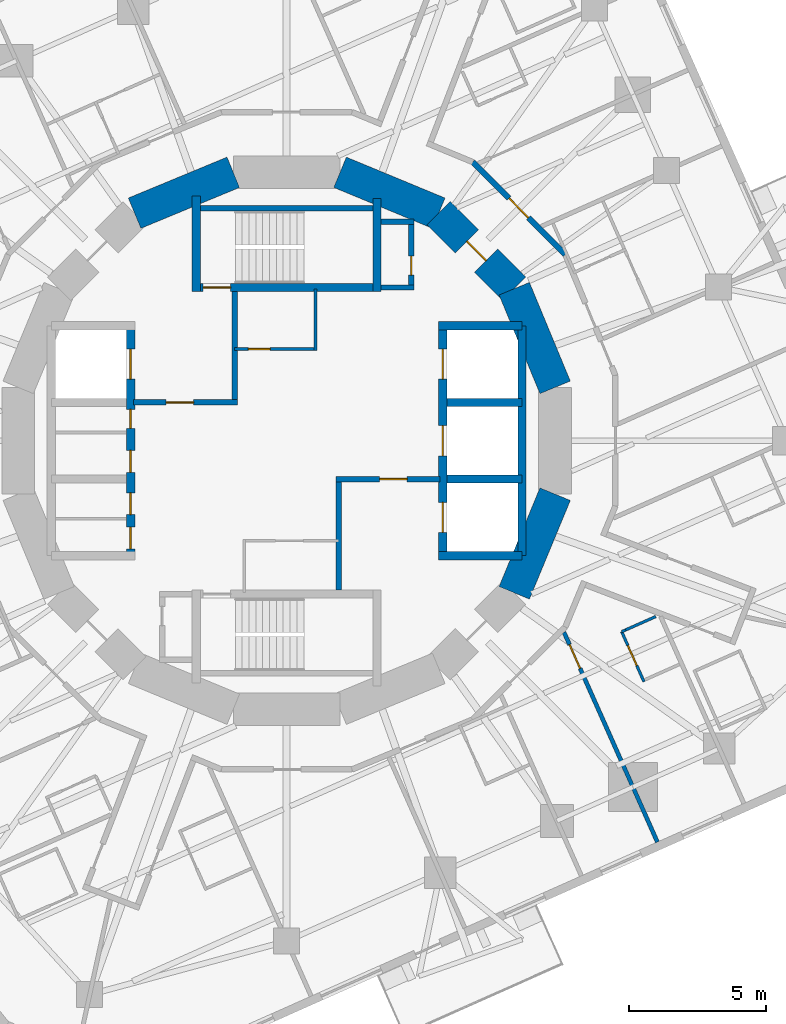
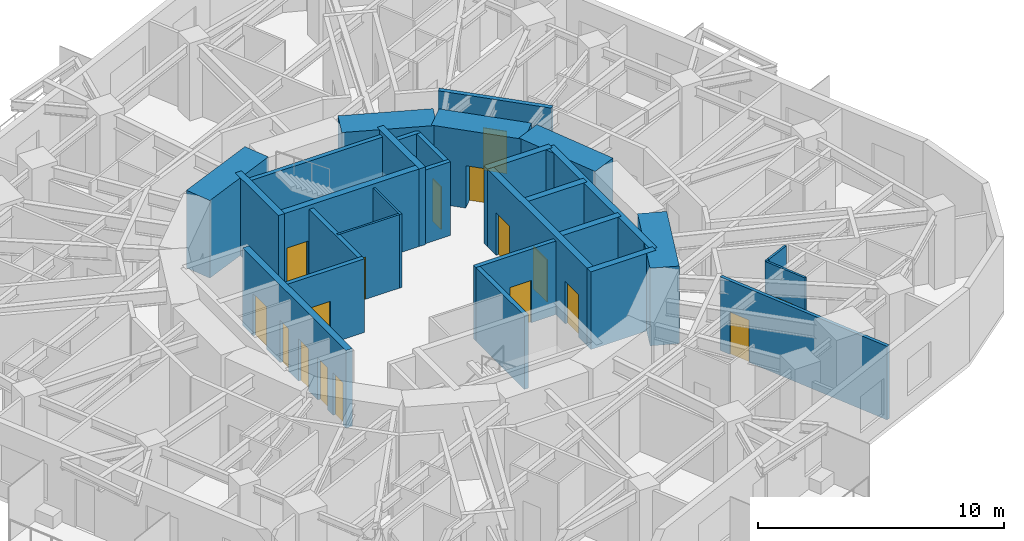
# One storey, part 7 of 12: 30 walls, 17 doors, 17 openings.
"""IFC4 building model written with IfcOpenShell, lengths in metres."""

from ifc_helpers import new_model, si_unit, direction, frame, frame_2d, origin, place, context, subcontext, project, spatial, rectangle, extrude, material, layer, layer_set, type_object, element, fill, save


model = new_model("IFC4")

# Units and contexts
model_context = context("Model", 3, precision=1e-05, world=origin(), true_north=direction((0.0, 1.0)))
body_context = subcontext(model_context, "Body", "Model", "MODEL_VIEW")
ifc_project = project(units=[si_unit("LENGTHUNIT", "METRE"), si_unit("AREAUNIT", "SQUARE_METRE"), si_unit("VOLUMEUNIT", "CUBIC_METRE"), si_unit("PLANEANGLEUNIT", "RADIAN"), si_unit("MASSUNIT", "GRAM", prefix="KILO")], contexts=[model_context])

# Site, building, storey
site_placement = place(None, origin())
site = spatial("IfcSite", under=ifc_project, at=site_placement, CompositionType="ELEMENT")
building_placement = place(site_placement, origin())
building = spatial("IfcBuilding", under=site, at=building_placement, Name="Nakasero Lantern House", CompositionType="ELEMENT")
storey_placement = place(building_placement, frame((0.0, 0.0, 201.699951171875)))
storey = spatial("IfcBuildingStorey", under=building, at=storey_placement, Name="L49", CompositionType="ELEMENT", Elevation=201.699951171875)

# Wall, openings, doors
ifc_material_1 = material(Name="Concrete C50/60", Category="concrete")
ifc_layer_1 = layer(ifc_material_1, 0.300048828125)
ifc_layer_set_1 = layer_set([ifc_layer_1], Name="Core inner wall 300")
wall_type_1 = type_object("IfcWallType", Name="Core inner wall 300", PredefinedType="SHEAR", material=ifc_layer_set_1)
wall_1_placement = place(storey_placement, frame((-5.699951171875, -4.199951171875, 0.0), z_axis=(0.0, 0.0, 1.0), x_axis=(0.0, 1.0, 0.0)))
wall_1 = element("IfcWall", 1, at=wall_1_placement, inside=storey, type_object=wall_type_1, Name="Core inner wall L49 LW", PredefinedType="SHEAR", context=body_context, shape_type="SweptSolid", body=[
    extrude(rectangle(XDim=8.39990234375, YDim=0.300048828125, at=frame_2d((4.199951171875, 0.0))), origin(), (0.0, 0.0, 1.0), 3.85009765625),
])
opening_1_placement = place(wall_1_placement, frame((0.25, 0.0, 0.0)))
opening_1 = element("IfcOpeningElement", 2, at=opening_1_placement, cuts=wall_1, Name="Opening D15", PredefinedType="OPENING", context=body_context, shape_type="SweptSolid", body=[
    extrude(rectangle(XDim=0.800048828125, YDim=2.10009765625, at=frame_2d((0.39990234375, 1.050048828125))), frame((0.0, 0.169921875, 0.0), z_axis=(0.0, -1.0, 0.0), x_axis=(1.0, 0.0, 0.0)), (0.0, 0.0, 1.0), 0.340087890625),
])
opening_2_placement = place(wall_1_placement, frame((1.5, 0.0, 0.0)))
opening_2 = element("IfcOpeningElement", 3, at=opening_2_placement, cuts=wall_1, Name="Opening D15", PredefinedType="OPENING", context=body_context, shape_type="SweptSolid", body=[
    extrude(rectangle(XDim=0.800048828125, YDim=2.10009765625, at=frame_2d((0.39990234375, 1.050048828125))), frame((0.0, 0.169921875, 0.0), z_axis=(0.0, -1.0, 0.0), x_axis=(1.0, 0.0, 0.0)), (0.0, 0.0, 1.0), 0.340087890625),
])
opening_3_placement = place(wall_1_placement, frame((3.050048828125, 0.0, 0.0)))
opening_3 = element("IfcOpeningElement", 4, at=opening_3_placement, cuts=wall_1, Name="Opening D15", PredefinedType="OPENING", context=body_context, shape_type="SweptSolid", body=[
    extrude(rectangle(XDim=0.800048828125, YDim=2.10009765625, at=frame_2d((0.39990234375, 1.050048828125))), frame((0.0, 0.169921875, 0.0), z_axis=(0.0, -1.0, 0.0), x_axis=(1.0, 0.0, 0.0)), (0.0, 0.0, 1.0), 0.340087890625),
])
opening_4_placement = place(wall_1_placement, frame((4.64990234375, 0.0, 0.0)))
opening_4 = element("IfcOpeningElement", 5, at=opening_4_placement, cuts=wall_1, Name="Opening D20", PredefinedType="OPENING", context=body_context, shape_type="SweptSolid", body=[
    extrude(rectangle(XDim=0.699951171875, YDim=2.10009765625, at=frame_2d((0.35009765625, 1.050048828125))), frame((0.0, 0.169921875, 0.0), z_axis=(0.0, -1.0, 0.0), x_axis=(1.0, 0.0, 0.0)), (0.0, 0.0, 1.0), 0.340087890625),
])
opening_5_placement = place(wall_1_placement, frame((6.449951171875, 0.0, 0.0)))
opening_5 = element("IfcOpeningElement", 6, at=opening_5_placement, cuts=wall_1, Name="Opening LD", PredefinedType="OPENING", context=body_context, shape_type="SweptSolid", body=[
    extrude(rectangle(XDim=1.10009765625, YDim=2.10009765625, at=frame_2d((0.550048828125, 1.050048828125))), frame((0.0, 0.169921875, 0.0), z_axis=(0.0, -1.0, 0.0), x_axis=(1.0, 0.0, 0.0)), (0.0, 0.0, 1.0), 0.340087890625),
])
ifc_material_2 = material(Name="Timber C24", Category="wood")
door_type_1 = type_object("IfcDoorType", Name="Cleaner's store door FD30S 700", OperationType="SINGLE_SWING_LEFT", PredefinedType="DOOR", material=ifc_material_2)
door_1_placement = place(opening_4_placement, origin())
door_1 = element("IfcDoor", 7, at=door_1_placement, inside=storey, type_object=door_type_1, Name="Door L49 D-SH-LW2b", OperationType="SINGLE_SWING_RIGHT", OverallHeight=2.10009765625, OverallWidth=0.699951171875, PredefinedType="DOOR", context=body_context, shape_type="SweptSolid", body=[
    extrude(rectangle(XDim=0.699951171875, YDim=2.10009765625, at=frame_2d((0.35009765625, 1.050048828125))), frame((0.0, 0.02490234375, 0.0), z_axis=(0.0, -1.0, 0.0), x_axis=(1.0, 0.0, 0.0)), (0.0, 0.0, 1.0), 0.050048828125),
])
fill(opening_4, door_1)
ifc_material_3 = material(Name="Timber C24", Category="wood")
door_type_2 = type_object("IfcDoorType", Name="Cleaner's store door FD30S 800", OperationType="SINGLE_SWING_LEFT", PredefinedType="DOOR", material=ifc_material_3)
door_2_placement = place(opening_1_placement, origin())
door_2 = element("IfcDoor", 8, at=door_2_placement, inside=storey, type_object=door_type_2, Name="Door L49 D-SH-LW1a", OperationType="SINGLE_SWING_LEFT", OverallHeight=2.10009765625, OverallWidth=0.800048828125, PredefinedType="DOOR", context=body_context, shape_type="SweptSolid", body=[
    extrude(rectangle(XDim=0.800048828125, YDim=2.10009765625, at=frame_2d((0.39990234375, 1.050048828125))), frame((0.0, 0.02490234375, 0.0), z_axis=(0.0, -1.0, 0.0), x_axis=(1.0, 0.0, 0.0)), (0.0, 0.0, 1.0), 0.050048828125),
])
fill(opening_1, door_2)
door_3_placement = place(opening_2_placement, origin())
door_3 = element("IfcDoor", 9, at=door_3_placement, inside=storey, type_object=door_type_2, Name="Door L49 D-SH-LW1b", OperationType="SINGLE_SWING_LEFT", OverallHeight=2.10009765625, OverallWidth=0.800048828125, PredefinedType="DOOR", context=body_context, shape_type="SweptSolid", body=[
    extrude(rectangle(XDim=0.800048828125, YDim=2.10009765625, at=frame_2d((0.39990234375, 1.050048828125))), frame((0.0, 0.02490234375, 0.0), z_axis=(0.0, -1.0, 0.0), x_axis=(1.0, 0.0, 0.0)), (0.0, 0.0, 1.0), 0.050048828125),
])
fill(opening_2, door_3)
door_4_placement = place(opening_3_placement, origin())
door_4 = element("IfcDoor", 10, at=door_4_placement, inside=storey, type_object=door_type_2, Name="Door L49 D-SH-LW2a", OperationType="SINGLE_SWING_LEFT", OverallHeight=2.10009765625, OverallWidth=0.800048828125, PredefinedType="DOOR", context=body_context, shape_type="SweptSolid", body=[
    extrude(rectangle(XDim=0.800048828125, YDim=2.10009765625, at=frame_2d((0.39990234375, 1.050048828125))), frame((0.0, 0.02490234375, 0.0), z_axis=(0.0, -1.0, 0.0), x_axis=(1.0, 0.0, 0.0)), (0.0, 0.0, 1.0), 0.050048828125),
])
fill(opening_3, door_4)
ifc_material_4 = material(Name="Steel S355", Category="steel")
door_type_3 = type_object("IfcDoorType", Name="Lift landing door E120 1100", OperationType="SLIDING_TO_LEFT", PredefinedType="DOOR", material=ifc_material_4)
door_5_placement = place(opening_5_placement, origin())
door_5 = element("IfcDoor", 11, at=door_5_placement, inside=storey, type_object=door_type_3, Name="Lift landing door LW3", OperationType="SLIDING_TO_LEFT", OverallHeight=2.10009765625, OverallWidth=1.10009765625, PredefinedType="DOOR", context=body_context, shape_type="SweptSolid", body=[
    extrude(rectangle(XDim=1.10009765625, YDim=2.10009765625, at=frame_2d((0.550048828125, 1.050048828125))), frame((0.0, 0.02490234375, 0.0), z_axis=(0.0, -1.0, 0.0), x_axis=(1.0, 0.0, 0.0)), (0.0, 0.0, 1.0), 0.050048828125),
])
fill(opening_5, door_5)

wall_2_placement = place(storey_placement, frame((5.699951171875, -4.199951171875, 0.0), z_axis=(0.0, 0.0, 1.0), x_axis=(0.0, 1.0, 0.0)))
wall_2 = element("IfcWall", 12, at=wall_2_placement, inside=storey, type_object=wall_type_1, Name="Core inner wall L49 LE", PredefinedType="SHEAR", context=body_context, shape_type="SweptSolid", body=[
    extrude(rectangle(XDim=8.39990234375, YDim=0.300048828125, at=frame_2d((4.199951171875, 0.0))), origin(), (0.0, 0.0, 1.0), 3.85009765625),
])
opening_6_placement = place(wall_2_placement, frame((0.85009765625, 0.0, 0.0)))
opening_6 = element("IfcOpeningElement", 13, at=opening_6_placement, cuts=wall_2, Name="Opening LD", PredefinedType="OPENING", context=body_context, shape_type="SweptSolid", body=[
    extrude(rectangle(XDim=1.10009765625, YDim=2.10009765625, at=frame_2d((0.550048828125, 1.050048828125))), frame((0.0, 0.169921875, 0.0), z_axis=(0.0, -1.0, 0.0), x_axis=(1.0, 0.0, 0.0)), (0.0, 0.0, 1.0), 0.340087890625),
])
opening_7_placement = place(wall_2_placement, frame((3.64990234375, 0.0, 0.0)))
opening_7 = element("IfcOpeningElement", 14, at=opening_7_placement, cuts=wall_2, Name="Opening LD", PredefinedType="OPENING", context=body_context, shape_type="SweptSolid", body=[
    extrude(rectangle(XDim=1.10009765625, YDim=2.10009765625, at=frame_2d((0.550048828125, 1.050048828125))), frame((0.0, 0.169921875, 0.0), z_axis=(0.0, -1.0, 0.0), x_axis=(1.0, 0.0, 0.0)), (0.0, 0.0, 1.0), 0.340087890625),
])
opening_8_placement = place(wall_2_placement, frame((6.449951171875, 0.0, 0.0)))
opening_8 = element("IfcOpeningElement", 15, at=opening_8_placement, cuts=wall_2, Name="Opening LD", PredefinedType="OPENING", context=body_context, shape_type="SweptSolid", body=[
    extrude(rectangle(XDim=1.10009765625, YDim=2.10009765625, at=frame_2d((0.550048828125, 1.050048828125))), frame((0.0, 0.169921875, 0.0), z_axis=(0.0, -1.0, 0.0), x_axis=(1.0, 0.0, 0.0)), (0.0, 0.0, 1.0), 0.340087890625),
])
door_6_placement = place(opening_6_placement, origin())
door_6 = element("IfcDoor", 16, at=door_6_placement, inside=storey, type_object=door_type_3, Name="Lift landing door LE1", OperationType="SLIDING_TO_LEFT", OverallHeight=2.10009765625, OverallWidth=1.10009765625, PredefinedType="DOOR", context=body_context, shape_type="SweptSolid", body=[
    extrude(rectangle(XDim=1.10009765625, YDim=2.10009765625, at=frame_2d((0.550048828125, 1.050048828125))), frame((0.0, 0.02490234375, 0.0), z_axis=(0.0, -1.0, 0.0), x_axis=(1.0, 0.0, 0.0)), (0.0, 0.0, 1.0), 0.050048828125),
])
fill(opening_6, door_6)
door_7_placement = place(opening_7_placement, origin())
door_7 = element("IfcDoor", 17, at=door_7_placement, inside=storey, type_object=door_type_3, Name="Lift landing door LE2", OperationType="SLIDING_TO_LEFT", OverallHeight=2.10009765625, OverallWidth=1.10009765625, PredefinedType="DOOR", context=body_context, shape_type="SweptSolid", body=[
    extrude(rectangle(XDim=1.10009765625, YDim=2.10009765625, at=frame_2d((0.550048828125, 1.050048828125))), frame((0.0, 0.02490234375, 0.0), z_axis=(0.0, -1.0, 0.0), x_axis=(1.0, 0.0, 0.0)), (0.0, 0.0, 1.0), 0.050048828125),
])
fill(opening_7, door_7)
door_8_placement = place(opening_8_placement, origin())
door_8 = element("IfcDoor", 18, at=door_8_placement, inside=storey, type_object=door_type_3, Name="Lift landing door LE3", OperationType="SLIDING_TO_LEFT", OverallHeight=2.10009765625, OverallWidth=1.10009765625, PredefinedType="DOOR", context=body_context, shape_type="SweptSolid", body=[
    extrude(rectangle(XDim=1.10009765625, YDim=2.10009765625, at=frame_2d((0.550048828125, 1.050048828125))), frame((0.0, 0.02490234375, 0.0), z_axis=(0.0, -1.0, 0.0), x_axis=(1.0, 0.0, 0.0)), (0.0, 0.0, 1.0), 0.050048828125),
])
fill(opening_8, door_8)

# Walls
for number, where, z_axis, x_axis, name in (
    (19, (5.550048828125, 4.199951171875, 0.0), (0.0, 0.0, 1.0), (1.0, 0.0, 0.0), "Core inner wall L49 LEN"),
    (20, (5.550048828125, -4.199951171875, 0.0), (0.0, 0.0, 1.0), (1.0, 0.0, 0.0), "Core inner wall L49 LES"),
):
    element("IfcWall", number, at=place(storey_placement, frame(where, z_axis=z_axis, x_axis=x_axis)), inside=storey, type_object=wall_type_1, Name=name, PredefinedType="SHEAR", context=body_context, shape_type="SweptSolid", body=[
        extrude(rectangle(XDim=3.050048828125, YDim=0.300048828125, at=frame_2d((1.52490234375, 0.0))), origin(), (0.0, 0.0, 1.0), 3.85009765625),
    ])
wall_3_placement = place(storey_placement, frame((8.60009765625, -4.199951171875, 0.0), z_axis=(0.0, 0.0, 1.0), x_axis=(0.0, 1.0, 0.0)))
element("IfcWall", 21, at=wall_3_placement, inside=storey, type_object=wall_type_1, Name="Core inner wall L49 LEB", PredefinedType="SHEAR", context=body_context, shape_type="SweptSolid", body=[
    extrude(rectangle(XDim=8.39990234375, YDim=0.300048828125, at=frame_2d((4.199951171875, 0.0))), origin(), (0.0, 0.0, 1.0), 3.85009765625),
])
for number, where, z_axis, x_axis, name in (
    (22, (5.85009765625, -1.39990234375, 0.0), (0.0, 0.0, 1.0), (1.0, 0.0, 0.0), "Core inner wall L49 LE1"),
    (23, (5.85009765625, 1.39990234375, 0.0), (0.0, 0.0, 1.0), (1.0, 0.0, 0.0), "Core inner wall L49 LE2"),
):
    element("IfcWall", number, at=place(storey_placement, frame(where, z_axis=z_axis, x_axis=x_axis)), inside=storey, type_object=wall_type_1, Name=name, PredefinedType="SHEAR", context=body_context, shape_type="SweptSolid", body=[
        extrude(rectangle(XDim=2.75, YDim=0.300048828125, at=frame_2d((1.375, 0.0))), origin(), (0.0, 0.0, 1.0), 3.85009765625),
    ])

# Wall, opening, door
wall_4_placement = place(storey_placement, frame((-3.449951171875, 5.60009765625, 0.0), z_axis=(0.0, 0.0, 1.0), x_axis=(1.0, 0.0, 0.0)))
wall_4 = element("IfcWall", 24, at=wall_4_placement, inside=storey, type_object=wall_type_1, Name="Core inner wall L49 SN", PredefinedType="SHEAR", context=body_context, shape_type="SweptSolid", body=[
    extrude(rectangle(XDim=6.89990234375, YDim=0.300048828125, at=frame_2d((3.449951171875, 0.0))), origin(), (0.0, 0.0, 1.0), 3.85009765625),
])
opening_9_placement = place(wall_4_placement, frame((0.39990234375, 0.0, 0.0)))
opening_9 = element("IfcOpeningElement", 25, at=opening_9_placement, cuts=wall_4, Name="Opening D05", PredefinedType="OPENING", context=body_context, shape_type="SweptSolid", body=[
    extrude(rectangle(XDim=1.0, YDim=2.10009765625, at=frame_2d((0.5, 1.050048828125))), frame((0.0, 0.169921875, 0.0), z_axis=(0.0, -1.0, 0.0), x_axis=(1.0, 0.0, 0.0)), (0.0, 0.0, 1.0), 0.340087890625),
])
ifc_material_5 = material(Name="Timber C24", Category="wood")
door_type_4 = type_object("IfcDoorType", Name="Core door FD60S 1000", OperationType="SINGLE_SWING_LEFT", PredefinedType="DOOR", material=ifc_material_5)
door_9_placement = place(opening_9_placement, origin())
door_9 = element("IfcDoor", 26, at=door_9_placement, inside=storey, type_object=door_type_4, Name="Door L49 D-ST1", OperationType="SINGLE_SWING_LEFT", OverallHeight=2.10009765625, OverallWidth=1.0, PredefinedType="DOOR", context=body_context, shape_type="SweptSolid", body=[
    extrude(rectangle(XDim=1.0, YDim=2.10009765625, at=frame_2d((0.5, 1.050048828125))), frame((0.0, 0.02490234375, 0.0), z_axis=(0.0, -1.0, 0.0), x_axis=(1.0, 0.0, 0.0)), (0.0, 0.0, 1.0), 0.050048828125),
])
fill(opening_9, door_9)

# Walls
wall_5_placement = place(storey_placement, frame((-3.300048828125, 5.449951171875, 0.0), z_axis=(0.0, 0.0, 1.0), x_axis=(0.0, 1.0, 0.0)))
element("IfcWall", 27, at=wall_5_placement, inside=storey, type_object=wall_type_1, Name="Core inner wall L49 SNW", PredefinedType="SHEAR", context=body_context, shape_type="SweptSolid", body=[
    extrude(rectangle(XDim=3.5, YDim=0.300048828125, at=frame_2d((1.75, 0.0))), origin(), (0.0, 0.0, 1.0), 3.85009765625),
])
wall_6_placement = place(storey_placement, frame((3.300048828125, 5.449951171875, 0.0), z_axis=(0.0, 0.0, 1.0), x_axis=(0.0, 1.0, 0.0)))
element("IfcWall", 28, at=wall_6_placement, inside=storey, type_object=wall_type_1, Name="Core inner wall L49 SNE", PredefinedType="SHEAR", context=body_context, shape_type="SweptSolid", body=[
    extrude(rectangle(XDim=3.400146484375, YDim=0.300048828125, at=frame_2d((1.7001953125, 0.0))), origin(), (0.0, 0.0, 1.0), 3.85009765625),
])

# Wall, opening, door
ifc_material_6 = material(Name="Blockwork", Category="masonry")
ifc_layer_2 = layer(ifc_material_6, 0.10009765625)
ifc_layer_set_2 = layer_set([ifc_layer_2], Name="Core room wall 100")
wall_type_2 = type_object("IfcWallType", Name="Core room wall 100", PredefinedType="PARTITIONING", material=ifc_layer_set_2)
wall_7_placement = place(storey_placement, frame((-1.89990234375, 3.35009765625, 0.0), z_axis=(0.0, 0.0, 1.0), x_axis=(1.0, 0.0, 0.0)))
wall_7 = element("IfcWall", 29, at=wall_7_placement, inside=storey, type_object=wall_type_2, Name="Core room wall L49 CR-NES", PredefinedType="PARTITIONING", context=body_context, shape_type="SweptSolid", body=[
    extrude(rectangle(XDim=3.0, YDim=0.10009765625, at=frame_2d((1.5, 0.0))), origin(), (0.0, 0.0, 1.0), 3.650146484375),
])
opening_10_placement = place(wall_7_placement, frame((0.5, 0.0, 0.0)))
opening_10 = element("IfcOpeningElement", 30, at=opening_10_placement, cuts=wall_7, Name="Opening D15", PredefinedType="OPENING", context=body_context, shape_type="SweptSolid", body=[
    extrude(rectangle(XDim=0.800048828125, YDim=2.10009765625, at=frame_2d((0.39990234375, 1.050048828125))), frame((0.0, 0.070068359375, 0.0), z_axis=(0.0, -1.0, 0.0), x_axis=(1.0, 0.0, 0.0)), (0.0, 0.0, 1.0), 0.14013671875),
])
door_10_placement = place(opening_10_placement, origin())
door_10 = element("IfcDoor", 31, at=door_10_placement, inside=storey, type_object=door_type_2, Name="Door L49 D-CR-NE", OperationType="SINGLE_SWING_LEFT", OverallHeight=2.10009765625, OverallWidth=0.800048828125, PredefinedType="DOOR", context=body_context, shape_type="SweptSolid", body=[
    extrude(rectangle(XDim=0.800048828125, YDim=2.10009765625, at=frame_2d((0.39990234375, 1.050048828125))), frame((0.0, 0.02490234375, 0.0), z_axis=(0.0, -1.0, 0.0), x_axis=(1.0, 0.0, 0.0)), (0.0, 0.0, 1.0), 0.050048828125),
])
fill(opening_10, door_10)

# Walls
wall_8_placement = place(storey_placement, frame((1.050048828125, 3.300048828125, 0.0), z_axis=(0.0, 0.0, 1.0), x_axis=(0.0, 1.0, 0.0)))
element("IfcWall", 32, at=wall_8_placement, inside=storey, type_object=wall_type_2, Name="Core room wall L49 CR-NEE", PredefinedType="PARTITIONING", context=body_context, shape_type="SweptSolid", body=[
    extrude(rectangle(XDim=2.25, YDim=0.10009765625, at=frame_2d((1.125, 0.0))), origin(), (0.0, 0.0, 1.0), 3.650146484375),
])
ifc_material_7 = material(Name="Concrete C50/60", Category="concrete")
ifc_layer_3 = layer(ifc_material_7, 1.199951171875)
ifc_layer_set_3 = layer_set([ifc_layer_3], Name="Core wall 1200")
wall_type_3 = type_object("IfcWallType", Name="Core wall 1200", PredefinedType="SHEAR", material=ifc_layer_set_3)
wall_9_placement = place(storey_placement, frame((9.807861328125, 1.950927734375, 0.0), z_axis=(0.0, 0.0, 1.0), x_axis=(-0.382690736062, 0.923876507187, 0.0)))
element("IfcWall", 33, at=wall_9_placement, inside=storey, type_object=wall_type_3, Name="Core wall L49 facet 1", PredefinedType="SHEAR", context=body_context, shape_type="SweptSolid", body=[
    extrude(rectangle(XDim=3.90185546875, YDim=1.199951171875, at=frame_2d((1.950927734375, 0.0))), origin(), (0.0, 0.0, 1.0), 3.85009765625),
])

# Wall, opening, door
wall_10_placement = place(storey_placement, frame((8.314697265625, 5.5556640625, 0.0), z_axis=(0.0, 0.0, 1.0), x_axis=(-0.707106781187, 0.707106781187, 0.0)))
wall_10 = element("IfcWall", 34, at=wall_10_placement, inside=storey, type_object=wall_type_3, Name="Core wall L49 facet 2", PredefinedType="SHEAR", context=body_context, shape_type="SweptSolid", body=[
    extrude(rectangle(XDim=3.90185546875, YDim=1.199951171875, at=frame_2d((1.950927734375, 0.0))), origin(), (0.0, 0.0, 1.0), 3.85009765625),
])
opening_11_placement = place(wall_10_placement, frame((1.450927734375, 0.0, 0.0)))
opening_11 = element("IfcOpeningElement", 35, at=opening_11_placement, cuts=wall_10, Name="Opening D05", PredefinedType="OPENING", context=body_context, shape_type="SweptSolid", body=[
    extrude(rectangle(XDim=1.0, YDim=2.10009765625, at=frame_2d((0.5, 1.050048828125))), frame((0.0, 0.619873046875, 0.0), z_axis=(0.0, -1.0, 0.0), x_axis=(1.0, 0.0, 0.0)), (0.0, 0.0, 1.0), 1.239990234375),
])
door_11_placement = place(opening_11_placement, origin())
door_11 = element("IfcDoor", 36, at=door_11_placement, inside=storey, type_object=door_type_4, Name="Door L49 D-CORE02", OperationType="SINGLE_SWING_LEFT", OverallHeight=2.10009765625, OverallWidth=1.0, PredefinedType="DOOR", context=body_context, shape_type="SweptSolid", body=[
    extrude(rectangle(XDim=1.0, YDim=2.10009765625, at=frame_2d((0.5, 1.050048828125))), frame((0.0, 0.02490234375, 0.0), z_axis=(0.0, -1.0, 0.0), x_axis=(1.0, 0.0, 0.0)), (0.0, 0.0, 1.0), 0.050048828125),
])
fill(opening_11, door_11)

# Walls
for number, where, z_axis, x_axis, name in (
    (37, (5.5556640625, 8.314697265625, 0.0), (0.0, 0.0, 1.0), (-0.923876507187, 0.382690736062, 0.0), "Core wall L49 facet 3"),
    (38, (-1.950927734375, 9.807861328125, 0.0), (0.0, 0.0, 1.0), (-0.923876507187, -0.382690736062, 0.0), "Core wall L49 facet 5"),
    (39, (8.314697265625, -5.5556640625, 0.0), (0.0, 0.0, 1.0), (0.382690736062, 0.923876507187, 0.0), "Core wall L49 facet 15"),
):
    element("IfcWall", number, at=place(storey_placement, frame(where, z_axis=z_axis, x_axis=x_axis)), inside=storey, type_object=wall_type_3, Name=name, PredefinedType="SHEAR", context=body_context, shape_type="SweptSolid", body=[
        extrude(rectangle(XDim=3.90185546875, YDim=1.199951171875, at=frame_2d((1.950927734375, 0.0))), origin(), (0.0, 0.0, 1.0), 3.85009765625),
    ])

# Wall, opening, door
ifc_material_8 = material(Name="Blockwork", Category="masonry")
ifc_layer_4 = layer(ifc_material_8, 0.199951171875)
ifc_layer_set_4 = layer_set([ifc_layer_4], Name="Corridor wall 200")
wall_type_4 = type_object("IfcWallType", Name="Corridor wall 200", PredefinedType="PARTITIONING", material=ifc_layer_set_4)
wall_11_placement = place(storey_placement, frame((6.802001953125, 10.1796875, 0.0), z_axis=(0.0, 0.0, 1.0), x_axis=(0.707106781187, -0.707106781187, 0.0)))
wall_11 = element("IfcWall", 40, at=wall_11_placement, inside=storey, type_object=wall_type_4, Name="Corridor wall L49 RC14a", PredefinedType="PARTITIONING", context=body_context, shape_type="SweptSolid", body=[
    extrude(rectangle(XDim=4.77685546875, YDim=0.199951171875, at=frame_2d((2.388427734375, 0.0))), origin(), (0.0, 0.0, 1.0), 3.650146484375),
])
opening_12_placement = place(wall_11_placement, frame((1.8701171875, 0.0, 0.0)))
opening_12 = element("IfcOpeningElement", 41, at=opening_12_placement, cuts=wall_11, Name="Opening D14", PredefinedType="OPENING", context=body_context, shape_type="SweptSolid", body=[
    extrude(rectangle(XDim=1.0, YDim=2.10009765625, at=frame_2d((0.5, 1.050048828125))), frame((0.0, 0.119873046875, 0.0), z_axis=(0.0, -1.0, 0.0), x_axis=(1.0, 0.0, 0.0)), (0.0, 0.0, 1.0), 0.239990234375),
])
ifc_material_9 = material(Name="Timber C24", Category="wood")
door_type_5 = type_object("IfcDoorType", Name="Cluster entrance door FD30S 1000", OperationType="SINGLE_SWING_LEFT", PredefinedType="DOOR", material=ifc_material_9)
door_12_placement = place(opening_12_placement, origin())
door_12 = element("IfcDoor", 42, at=door_12_placement, inside=storey, type_object=door_type_5, Name="Door L49 D0-04", OperationType="SINGLE_SWING_LEFT", OverallHeight=2.10009765625, OverallWidth=1.0, PredefinedType="DOOR", context=body_context, shape_type="SweptSolid", body=[
    extrude(rectangle(XDim=1.0, YDim=2.10009765625, at=frame_2d((0.5, 1.050048828125))), frame((0.0, 0.02490234375, 0.0), z_axis=(0.0, -1.0, 0.0), x_axis=(1.0, 0.0, 0.0)), (0.0, 0.0, 1.0), 0.050048828125),
])
fill(opening_12, door_12)

ifc_material_10 = material(Name="Blockwork", Category="masonry")
ifc_layer_5 = layer(ifc_material_10, 0.10009765625)
ifc_layer_set_5 = layer_set([ifc_layer_5], Name="En-suite wall 100")
wall_type_5 = type_object("IfcWallType", Name="En-suite wall 100", PredefinedType="PARTITIONING", material=ifc_layer_set_5)
wall_12_placement = place(storey_placement, frame((12.23974609375, -6.974853515625, 0.0), z_axis=(0.0, 0.0, 1.0), x_axis=(0.406727323635, -0.913549606868, 0.0)))
wall_12 = element("IfcWall", 43, at=wall_12_placement, inside=storey, type_object=wall_type_5, Name="En-suite wall L49 ES3-05", PredefinedType="PARTITIONING", context=body_context, shape_type="SweptSolid", body=[
    extrude(rectangle(XDim=2.0, YDim=0.10009765625, at=frame_2d((1.0, 0.0))), origin(), (0.0, 0.0, 1.0), 3.650146484375),
])
opening_13_placement = place(wall_12_placement, frame((0.550048828125, 0.0, 0.0)))
opening_13 = element("IfcOpeningElement", 44, at=opening_13_placement, cuts=wall_12, Name="Opening D02", PredefinedType="OPENING", context=body_context, shape_type="SweptSolid", body=[
    extrude(rectangle(XDim=0.800048828125, YDim=2.10009765625, at=frame_2d((0.39990234375, 1.050048828125))), frame((0.0, 0.070068359375, 0.0), z_axis=(0.0, -1.0, 0.0), x_axis=(1.0, 0.0, 0.0)), (0.0, 0.0, 1.0), 0.14013671875),
])
ifc_material_11 = material(Name="Timber C24", Category="wood")
door_type_6 = type_object("IfcDoorType", Name="En-suite door 800", OperationType="SINGLE_SWING_RIGHT", PredefinedType="DOOR", material=ifc_material_11)
door_13_placement = place(opening_13_placement, origin())
door_13 = element("IfcDoor", 45, at=door_13_placement, inside=storey, type_object=door_type_6, Name="Door L49 DE3-05", OperationType="SINGLE_SWING_LEFT", OverallHeight=2.10009765625, OverallWidth=0.800048828125, PredefinedType="DOOR", context=body_context, shape_type="SweptSolid", body=[
    extrude(rectangle(XDim=0.800048828125, YDim=2.10009765625, at=frame_2d((0.39990234375, 1.050048828125))), frame((0.0, 0.02490234375, 0.0), z_axis=(0.0, -1.0, 0.0), x_axis=(1.0, 0.0, 0.0)), (0.0, 0.0, 1.0), 0.050048828125),
])
fill(opening_13, door_13)

# Walls
wall_13_placement = place(storey_placement, frame((13.48681640625, -6.419677734375, 0.0), z_axis=(0.0, 0.0, 1.0), x_axis=(-0.913510535277, -0.406815070933, 0.0)))
element("IfcWall", 46, at=wall_13_placement, inside=storey, type_object=wall_type_5, Name="En-suite wall L49 EX003", PredefinedType="PARTITIONING", context=body_context, shape_type="SweptSolid", body=[
    extrude(rectangle(XDim=1.205078125, YDim=0.10009765625, at=frame_2d((0.6025390625, 0.0))), origin(), (0.0, 0.0, 1.0), 3.650146484375),
])
wall_14_placement = place(storey_placement, frame((12.23974609375, -6.974853515625, 0.0), z_axis=(0.0, 0.0, 1.0), x_axis=(0.913937341612, 0.405855313637, 0.0)))
element("IfcWall", 47, at=wall_14_placement, inside=storey, type_object=wall_type_5, Name="En-suite wall L49 ES3-05R0", PredefinedType="PARTITIONING", context=body_context, shape_type="SweptSolid", body=[
    extrude(rectangle(XDim=0.159912109375, YDim=0.10009765625, at=frame_2d((0.080078125, 0.0))), origin(), (0.0, 0.0, 1.0), 3.650146484375),
])

# Wall, opening, door
ifc_material_12 = material(Name="Blockwork", Category="masonry")
ifc_layer_6 = layer(ifc_material_12, 0.199951171875)
ifc_layer_set_6 = layer_set([ifc_layer_6], Name="Fire lobby wall 200")
wall_type_6 = type_object("IfcWallType", Name="Fire lobby wall 200", PredefinedType="PARTITIONING", material=ifc_layer_set_6)
wall_15_placement = place(storey_placement, frame((-5.60009765625, 1.39990234375, 0.0), z_axis=(0.0, 0.0, 1.0), x_axis=(1.0, 0.0, 0.0)))
wall_15 = element("IfcWall", 48, at=wall_15_placement, inside=storey, type_object=wall_type_6, Name="Fire lobby wall L49 W-FL1S", PredefinedType="PARTITIONING", context=body_context, shape_type="SweptSolid", body=[
    extrude(rectangle(XDim=3.800048828125, YDim=0.199951171875, at=frame_2d((1.89990234375, 0.0))), origin(), (0.0, 0.0, 1.0), 3.650146484375),
])
opening_14_placement = place(wall_15_placement, frame((1.199951171875, 0.0, 0.0)))
opening_14 = element("IfcOpeningElement", 49, at=opening_14_placement, cuts=wall_15, Name="Opening D05", PredefinedType="OPENING", context=body_context, shape_type="SweptSolid", body=[
    extrude(rectangle(XDim=1.0, YDim=2.10009765625, at=frame_2d((0.5, 1.050048828125))), frame((0.0, 0.119873046875, 0.0), z_axis=(0.0, -1.0, 0.0), x_axis=(1.0, 0.0, 0.0)), (0.0, 0.0, 1.0), 0.239990234375),
])
door_14_placement = place(opening_14_placement, origin())
door_14 = element("IfcDoor", 50, at=door_14_placement, inside=storey, type_object=door_type_4, Name="Door L49 D-FL1", OperationType="SINGLE_SWING_LEFT", OverallHeight=2.10009765625, OverallWidth=1.0, PredefinedType="DOOR", context=body_context, shape_type="SweptSolid", body=[
    extrude(rectangle(XDim=1.0, YDim=2.10009765625, at=frame_2d((0.5, 1.050048828125))), frame((0.0, 0.02490234375, 0.0), z_axis=(0.0, -1.0, 0.0), x_axis=(1.0, 0.0, 0.0)), (0.0, 0.0, 1.0), 0.050048828125),
])
fill(opening_14, door_14)

# Wall
wall_16_placement = place(storey_placement, frame((-1.89990234375, 1.5, 0.0), z_axis=(0.0, 0.0, 1.0), x_axis=(0.0, 1.0, 0.0)))
element("IfcWall", 51, at=wall_16_placement, inside=storey, type_object=wall_type_6, Name="Fire lobby wall L49 W-FL1E", PredefinedType="PARTITIONING", context=body_context, shape_type="SweptSolid", body=[
    extrude(rectangle(XDim=3.949951171875, YDim=0.199951171875, at=frame_2d((1.97509765625, 0.0))), origin(), (0.0, 0.0, 1.0), 3.650146484375),
])

# Wall, opening, door
wall_17_placement = place(storey_placement, frame((5.60009765625, -1.39990234375, 0.0), z_axis=(0.0, 0.0, 1.0), x_axis=(-1.0, 0.0, 0.0)))
wall_17 = element("IfcWall", 52, at=wall_17_placement, inside=storey, type_object=wall_type_6, Name="Fire lobby wall L49 W-FL2N", PredefinedType="PARTITIONING", context=body_context, shape_type="SweptSolid", body=[
    extrude(rectangle(XDim=3.800048828125, YDim=0.199951171875, at=frame_2d((1.89990234375, 0.0))), origin(), (0.0, 0.0, 1.0), 3.650146484375),
])
opening_15_placement = place(wall_17_placement, frame((1.199951171875, 0.0, 0.0)))
opening_15 = element("IfcOpeningElement", 53, at=opening_15_placement, cuts=wall_17, Name="Opening D05", PredefinedType="OPENING", context=body_context, shape_type="SweptSolid", body=[
    extrude(rectangle(XDim=1.0, YDim=2.10009765625, at=frame_2d((0.5, 1.050048828125))), frame((0.0, 0.119873046875, 0.0), z_axis=(0.0, -1.0, 0.0), x_axis=(1.0, 0.0, 0.0)), (0.0, 0.0, 1.0), 0.239990234375),
])
door_15_placement = place(opening_15_placement, origin())
door_15 = element("IfcDoor", 54, at=door_15_placement, inside=storey, type_object=door_type_4, Name="Door L49 D-FL2", OperationType="SINGLE_SWING_LEFT", OverallHeight=2.10009765625, OverallWidth=1.0, PredefinedType="DOOR", context=body_context, shape_type="SweptSolid", body=[
    extrude(rectangle(XDim=1.0, YDim=2.10009765625, at=frame_2d((0.5, 1.050048828125))), frame((0.0, 0.02490234375, 0.0), z_axis=(0.0, -1.0, 0.0), x_axis=(1.0, 0.0, 0.0)), (0.0, 0.0, 1.0), 0.050048828125),
])
fill(opening_15, door_15)

# Wall
wall_18_placement = place(storey_placement, frame((1.89990234375, -1.5, 0.0), z_axis=(0.0, 0.0, 1.0), x_axis=(0.0, -1.0, 0.0)))
element("IfcWall", 55, at=wall_18_placement, inside=storey, type_object=wall_type_6, Name="Fire lobby wall L49 W-FL2W", PredefinedType="PARTITIONING", context=body_context, shape_type="SweptSolid", body=[
    extrude(rectangle(XDim=3.949951171875, YDim=0.199951171875, at=frame_2d((1.97509765625, 0.0))), origin(), (0.0, 0.0, 1.0), 3.650146484375),
])

# Wall, opening, door
wall_19_placement = place(storey_placement, frame((4.550048828125, 5.60009765625, 0.0), z_axis=(0.0, 0.0, 1.0), x_axis=(0.0, 1.0, 0.0)))
wall_19 = element("IfcWall", 56, at=wall_19_placement, inside=storey, type_object=wall_type_6, Name="Fire lobby wall L49 W-RS1E", PredefinedType="PARTITIONING", context=body_context, shape_type="SweptSolid", body=[
    extrude(rectangle(XDim=2.39990234375, YDim=0.199951171875, at=frame_2d((1.199951171875, 0.0))), origin(), (0.0, 0.0, 1.0), 3.650146484375),
])
opening_16_placement = place(wall_19_placement, frame((0.449951171875, 0.0, 0.0)))
opening_16 = element("IfcOpeningElement", 57, at=opening_16_placement, cuts=wall_19, Name="Opening D06", PredefinedType="OPENING", context=body_context, shape_type="SweptSolid", body=[
    extrude(rectangle(XDim=0.699951171875, YDim=2.10009765625, at=frame_2d((0.35009765625, 1.050048828125))), frame((0.0, 0.119873046875, 0.0), z_axis=(0.0, -1.0, 0.0), x_axis=(1.0, 0.0, 0.0)), (0.0, 0.0, 1.0), 0.239990234375),
])
ifc_material_13 = material(Name="Steel S355", Category="steel")
door_type_7 = type_object("IfcDoorType", Name="Riser door FD60 700", OperationType="SINGLE_SWING_LEFT", PredefinedType="DOOR", material=ifc_material_13)
door_16_placement = place(opening_16_placement, origin())
door_16 = element("IfcDoor", 58, at=door_16_placement, inside=storey, type_object=door_type_7, Name="Door L49 D-RS1", OperationType="SINGLE_SWING_LEFT", OverallHeight=2.10009765625, OverallWidth=0.699951171875, PredefinedType="DOOR", context=body_context, shape_type="SweptSolid", body=[
    extrude(rectangle(XDim=0.699951171875, YDim=2.10009765625, at=frame_2d((0.35009765625, 1.050048828125))), frame((0.0, 0.02490234375, 0.0), z_axis=(0.0, -1.0, 0.0), x_axis=(1.0, 0.0, 0.0)), (0.0, 0.0, 1.0), 0.050048828125),
])
fill(opening_16, door_16)

# Walls
for number, where, z_axis, x_axis, name in (
    (59, (3.449951171875, 8.0, 0.0), (0.0, 0.0, 1.0), (1.0, 0.0, 0.0), "Fire lobby wall L49 W-RS1N"),
    (60, (3.449951171875, 5.60009765625, 0.0), (0.0, 0.0, 1.0), (1.0, 0.0, 0.0), "Fire lobby wall L49 W-RS1S"),
):
    element("IfcWall", number, at=place(storey_placement, frame(where, z_axis=z_axis, x_axis=x_axis)), inside=storey, type_object=wall_type_6, Name=name, PredefinedType="PARTITIONING", context=body_context, shape_type="SweptSolid", body=[
        extrude(rectangle(XDim=1.199951171875, YDim=0.199951171875, at=frame_2d((0.60009765625, 0.0))), origin(), (0.0, 0.0, 1.0), 3.650146484375),
    ])
wall_20_placement = place(storey_placement, frame((-3.300048828125, 8.5, 0.0), z_axis=(0.0, 0.0, 1.0), x_axis=(1.0, 0.0, 0.0)))
element("IfcWall", 61, at=wall_20_placement, inside=storey, type_object=wall_type_6, Name="Fire lobby wall L49 W-STN", PredefinedType="PARTITIONING", context=body_context, shape_type="SweptSolid", body=[
    extrude(rectangle(XDim=6.60009765625, YDim=0.199951171875, at=frame_2d((3.300048828125, 0.0))), origin(), (0.0, 0.0, 1.0), 3.650146484375),
])

# Wall, opening, door
ifc_material_14 = material(Name="Blockwork", Category="masonry")
ifc_layer_7 = layer(ifc_material_14, 0.14990234375)
ifc_layer_set_7 = layer_set([ifc_layer_7], Name="Party wall 150")
wall_type_7 = type_object("IfcWallType", Name="Party wall 150", PredefinedType="PARTITIONING", material=ifc_layer_set_7)
wall_21_placement = place(storey_placement, frame((10.130615234375, -6.99267578125, 0.0), z_axis=(0.0, 0.0, 1.0), x_axis=(0.406732255089, -0.913547411288, 0.0)))
wall_21 = element("IfcWall", 62, at=wall_21_placement, inside=storey, type_object=wall_type_7, Name="Party wall L49 PW3-05", PredefinedType="PARTITIONING", context=body_context, shape_type="SweptSolid", body=[
    extrude(rectangle(XDim=8.3916015625, YDim=0.14990234375, at=frame_2d((4.19580078125, 0.0))), origin(), (0.0, 0.0, 1.0), 3.650146484375),
])
opening_17_placement = place(wall_21_placement, frame((0.5, 0.0, 0.0)))
opening_17 = element("IfcOpeningElement", 63, at=opening_17_placement, cuts=wall_21, Name="Opening D01", PredefinedType="OPENING", context=body_context, shape_type="SweptSolid", body=[
    extrude(rectangle(XDim=0.949951171875, YDim=2.10009765625, at=frame_2d((0.47509765625, 1.050048828125))), frame((0.0, 0.094970703125, 0.0), z_axis=(0.0, -1.0, 0.0), x_axis=(1.0, 0.0, 0.0)), (0.0, 0.0, 1.0), 0.18994140625),
])
ifc_material_15 = material(Name="Timber C24", Category="wood")
door_type_8 = type_object("IfcDoorType", Name="Bedroom door FD30S 950", OperationType="SINGLE_SWING_LEFT", PredefinedType="DOOR", material=ifc_material_15)
door_17_placement = place(opening_17_placement, origin())
door_17 = element("IfcDoor", 64, at=door_17_placement, inside=storey, type_object=door_type_8, Name="Door L49 DS3-05", OperationType="SINGLE_SWING_LEFT", OverallHeight=2.10009765625, OverallWidth=0.949951171875, PredefinedType="DOOR", context=body_context, shape_type="SweptSolid", body=[
    extrude(rectangle(XDim=0.949951171875, YDim=2.10009765625, at=frame_2d((0.47509765625, 1.050048828125))), frame((0.0, 0.02490234375, 0.0), z_axis=(0.0, -1.0, 0.0), x_axis=(1.0, 0.0, 0.0)), (0.0, 0.0, 1.0), 0.050048828125),
])
fill(opening_17, door_17)

save(model, "model.ifc")
